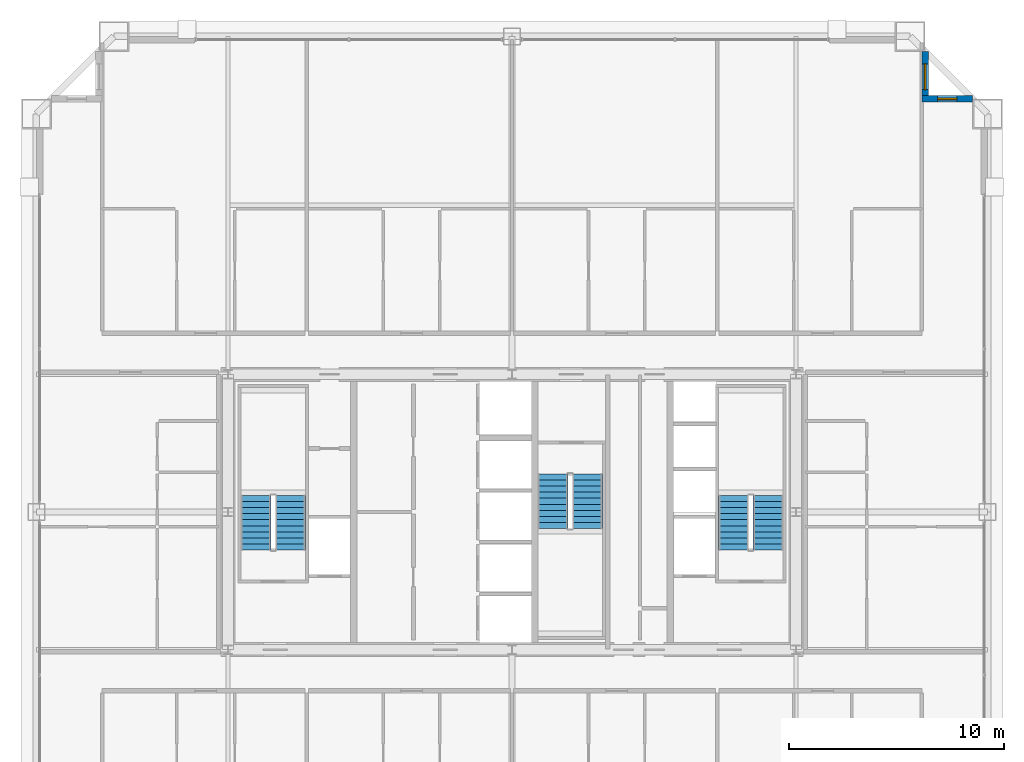
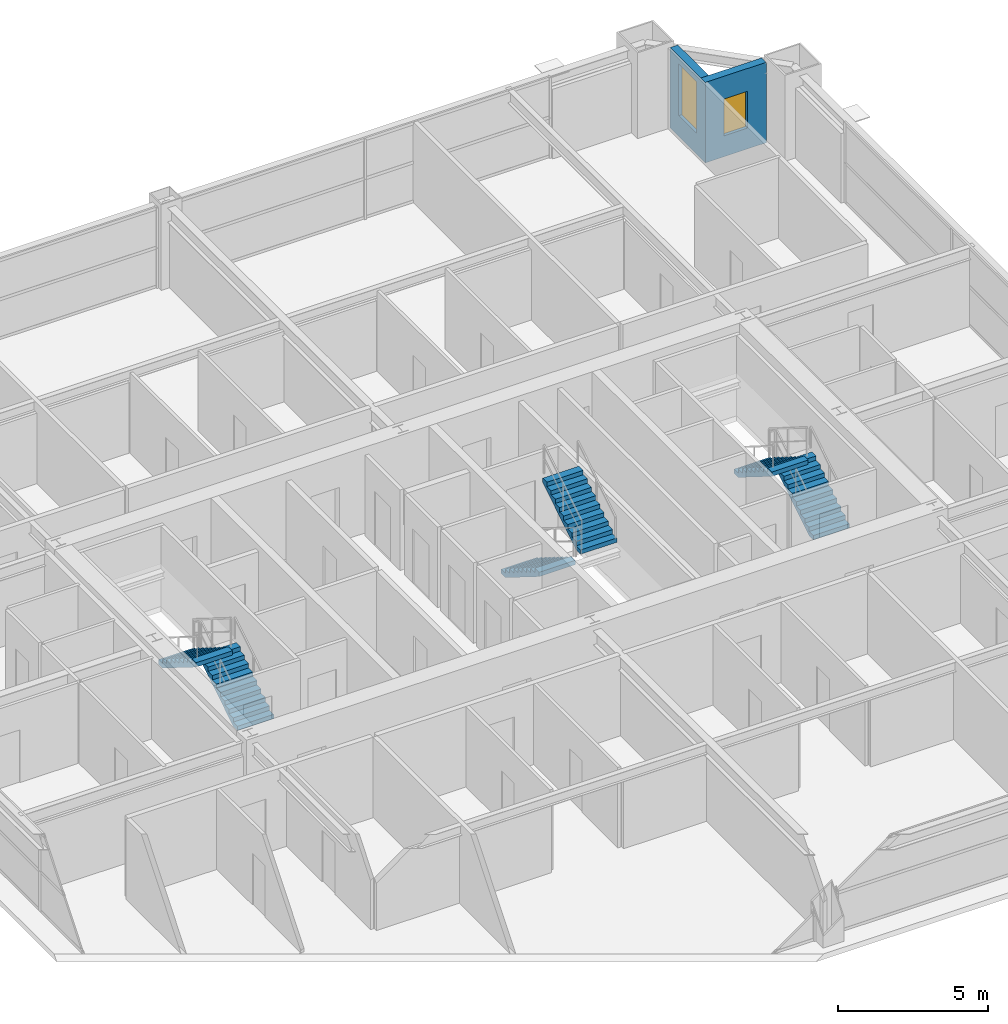
# One storey, part 37 of 38: 6 stair flights, 2 walls, 2 windows, 2 openings, 3 elements without a shape of their own.
"""IFC4 building model written with IfcOpenShell, lengths in metres."""

from ifc_helpers import new_model, si_unit, direction, frame, frame_2d, origin, place, context, subcontext, project, spatial, polyline, rectangle, outline, extrude, source, transform, mapped, material, layer, layer_set, type_object, element, fill, aggregate, save


model = new_model("IFC4")

# Units and contexts
model_context = context("Model", 3, precision=1e-05, world=origin(), true_north=direction((0.0, 1.0)))
body_context = subcontext(model_context, "Body", "Model", "MODEL_VIEW")
ifc_project = project(units=[si_unit("LENGTHUNIT", "METRE"), si_unit("AREAUNIT", "SQUARE_METRE"), si_unit("VOLUMEUNIT", "CUBIC_METRE"), si_unit("PLANEANGLEUNIT", "RADIAN"), si_unit("MASSUNIT", "GRAM", prefix="KILO"), si_unit("THERMODYNAMICTEMPERATUREUNIT", "KELVIN"), si_unit("POWERUNIT", "WATT")], contexts=[model_context])

# Site, building, storey
site_placement = place(None, origin())
site = spatial("IfcSite", under=ifc_project, at=site_placement, CompositionType="ELEMENT")
building_placement = place(site_placement, origin())
building = spatial("IfcBuilding", under=site, at=building_placement, Name="Yuzanri Waterfront Tower", CompositionType="ELEMENT")
storey_placement = place(building_placement, frame((0.0, 0.0, 188.0)))
storey = spatial("IfcBuildingStorey", under=building, at=storey_placement, Name="L49", CompositionType="ELEMENT", Elevation=188.0)

# Wall, opening, window
ifc_material_1 = material(Name="Honed Chongqing Dark Basalt Stone", Category="masonry")
ifc_layer = layer(ifc_material_1, 0.300048828125)
ifc_layer_set = layer_set([ifc_layer], Name="Honed Chongqing Dark Basalt Stone")
wall_type = type_object("IfcWallType", Name="Bronze Rainscreen Insulated Spandrel Portal Wall 300", PredefinedType="SOLIDWALL", material=ifc_layer_set)
wall_1_placement = place(storey_placement, frame((58.39990234375, 45.0, 0.0), z_axis=(0.0, 0.0, 1.0), x_axis=(-1.0, 0.0, 0.0)))
wall_1 = element("IfcWall", 1, at=wall_1_placement, inside=storey, type_object=wall_type, Name="L49 Notched Corner Masonry Wall NE-X", PredefinedType="SOLIDWALL", context=body_context, shape_type="SweptSolid", body=[
    extrude(rectangle(XDim=2.349853515625, YDim=0.300048828125, at=frame_2d((1.1748046875, 0.0))), origin(), (0.0, 0.0, 1.0), 3.280029296875),
])
opening_1_placement = place(wall_1_placement, frame((0.72509765625, 0.0, 0.85009765625)))
opening_1 = element("IfcOpeningElement", 2, at=opening_1_placement, cuts=wall_1, Name="Opening WN-05", PredefinedType="OPENING", context=body_context, shape_type="SweptSolid", body=[
    extrude(rectangle(XDim=0.89990234375, YDim=1.5, at=frame_2d((0.449951171875, 0.75))), frame((0.0, 0.1650390625, 0.0), z_axis=(0.0, -1.0, 0.0), x_axis=(1.0, 0.0, 0.0)), (0.0, 0.0, 1.0), 0.329833984375),
])
ifc_material_2 = material(Name="Double-Silver Low-E Insulated Glass", Category="glass")
window_type_1 = type_object("IfcWindowType", Name="Anodized Bronze Service and Stairwell Smoke-Vent Window 900x1500", PartitioningType="SINGLE_PANEL", PredefinedType="WINDOW", material=ifc_material_2)
shared_shape_1 = source(origin(), body_context, "Body", "SweptSolid", [
    extrude(rectangle(XDim=0.89990234375, YDim=1.5, at=frame_2d((0.449951171875, 0.75))), frame((0.0, 0.030029296875, 0.0), z_axis=(0.0, -1.0, 0.0), x_axis=(1.0, 0.0, 0.0)), (0.0, 0.0, 1.0), 0.06005859375),
])
window_1_placement = place(opening_1_placement, origin())
window_1 = element("IfcWindow", 3, at=window_1_placement, inside=storey, type_object=window_type_1, Name="L49 Notched Corner Window NE-X", OverallHeight=1.5, OverallWidth=0.89990234375, PartitioningType="SINGLE_PANEL", PredefinedType="WINDOW", context=body_context, shape_type="MappedRepresentation", body=[
    mapped(shared_shape_1, transform((0.0, 0.0, 0.0), scale=1.0)),
])
fill(opening_1, window_1)

wall_2_placement = place(storey_placement, frame((56.199951171875, 44.85009765625, 0.0), z_axis=(0.0, 0.0, 1.0), x_axis=(0.0, 1.0, 0.0)))
wall_2 = element("IfcWall", 4, at=wall_2_placement, inside=storey, type_object=wall_type, Name="L49 Notched Corner Masonry Wall NE-Y", PredefinedType="SOLIDWALL", context=body_context, shape_type="SweptSolid", body=[
    extrude(rectangle(XDim=2.349853515625, YDim=0.300048828125, at=frame_2d((1.1748046875, 0.0))), origin(), (0.0, 0.0, 1.0), 3.280029296875),
])
opening_2_placement = place(wall_2_placement, frame((0.574951171875, 0.0, 0.85009765625)))
opening_2 = element("IfcOpeningElement", 5, at=opening_2_placement, cuts=wall_2, Name="Opening WN-02", PredefinedType="OPENING", context=body_context, shape_type="SweptSolid", body=[
    extrude(rectangle(XDim=1.199951171875, YDim=2.10009765625, at=frame_2d((0.60009765625, 1.050048828125))), frame((0.0, 0.1650390625, 0.0), z_axis=(0.0, -1.0, 0.0), x_axis=(1.0, 0.0, 0.0)), (0.0, 0.0, 1.0), 0.329833984375),
])
ifc_material_3 = material(Name="Double-Silver Low-E Insulated Glass", Category="glass")
window_type_2 = type_object("IfcWindowType", Name="Anodized Bronze Notched Corner Deep-Set Slot Window 1200x2100", PartitioningType="SINGLE_PANEL", PredefinedType="WINDOW", material=ifc_material_3)
shared_shape_2 = source(origin(), body_context, "Body", "SweptSolid", [
    extrude(rectangle(XDim=1.199951171875, YDim=2.10009765625, at=frame_2d((0.60009765625, 1.050048828125))), frame((0.0, 0.030029296875, 0.0), z_axis=(0.0, -1.0, 0.0), x_axis=(1.0, 0.0, 0.0)), (0.0, 0.0, 1.0), 0.06005859375),
])
window_2_placement = place(opening_2_placement, origin())
window_2 = element("IfcWindow", 6, at=window_2_placement, inside=storey, type_object=window_type_2, Name="L49 Notched Corner Window NE-Y", OverallHeight=2.10009765625, OverallWidth=1.199951171875, PartitioningType="SINGLE_PANEL", PredefinedType="WINDOW", context=body_context, shape_type="MappedRepresentation", body=[
    mapped(shared_shape_2, transform((0.0, 0.0, 0.0), scale=1.0)),
])
fill(opening_2, window_2)

# Stair, stair flights
ifc_material_4 = material(Name="Concrete C40", Category="concrete")
stair_type = type_object("IfcStairType", Name="Concrete C40 Core Dogleg Exit Stair", PredefinedType="HALF_TURN_STAIR", material=ifc_material_4)
stair_1_placement = place(storey_placement, origin())
stair_1 = element("IfcStair", 7, at=stair_1_placement, inside=storey, type_object=stair_type, Name="L49 Smoke-Proof Core Stair ST-01", PredefinedType="HALF_TURN_STAIR")
ifc_material_5 = material(Name="Concrete C40", Category="concrete")
stair_flight_type = type_object("IfcStairFlightType", Name="Concrete C40 Precast Stair Flight 1380", PredefinedType="STRAIGHT", material=ifc_material_5)
shared_shape_3 = source(origin(), body_context, "Body", "SweptSolid", [
    extrude(outline(polyline([(0.0, 0.0), (0.0, 0.175048828125), (0.280029296875, 0.175048828125), (0.280029296875, 0.35009765625), (0.56005859375, 0.35009765625), (0.56005859375, 0.52490234375), (0.840087890625, 0.52490234375), (0.840087890625, 0.699951171875), (1.1201171875, 0.699951171875), (1.1201171875, 0.875), (1.39990234375, 0.875), (1.39990234375, 1.050048828125), (1.679931640625, 1.050048828125), (1.679931640625, 1.22509765625), (1.9599609375, 1.22509765625), (1.9599609375, 1.39990234375), (2.239990234375, 1.39990234375), (2.239990234375, 1.574951171875), (2.52001953125, 1.574951171875), (2.52001953125, 1.75), (2.52001953125, 1.398193359375), (0.28271484375, 0.0), (0.0, 0.0)])), frame((0.0, 0.699951171875, 0.0), z_axis=(0.0, -1.0, 0.0), x_axis=(1.0, 0.0, 0.0)), (0.0, 0.0, 1.0), 1.39990234375),
])
stair_flight_1_placement = place(storey_placement, frame((26.699951171875, 24.0400390625, 0.0), z_axis=(0.0, 0.0, 1.0), x_axis=(0.0, 1.0, 0.0)))
stair_flight_1 = element("IfcStairFlight", 8, at=stair_flight_1_placement, type_object=stair_flight_type, Name="ST-01 flight 1", NumberOfRisers=10, NumberOfTreads=9, PredefinedType="STRAIGHT", RiserHeight=0.175, TreadLength=0.28, context=body_context, shape_type="MappedRepresentation", body=[
    mapped(shared_shape_3, transform((0.0, 0.0, 0.0), scale=1.0)),
])
stair_flight_2_placement = place(storey_placement, frame((25.10009765625, 26.56005859375, 1.75), z_axis=(0.0, 0.0, 1.0), x_axis=(0.0, -1.0, 0.0)))
stair_flight_2 = element("IfcStairFlight", 9, at=stair_flight_2_placement, type_object=stair_flight_type, Name="ST-01 flight 2", NumberOfRisers=10, NumberOfTreads=9, PredefinedType="STRAIGHT", RiserHeight=0.175, TreadLength=0.28, context=body_context, shape_type="MappedRepresentation", body=[
    mapped(shared_shape_3, transform((0.0, 0.0, 0.0), scale=1.0)),
])
aggregate(stair_1, [stair_flight_1, stair_flight_2])

stair_2_placement = place(storey_placement, origin())
stair_2 = element("IfcStair", 10, at=stair_2_placement, inside=storey, type_object=stair_type, Name="L49 Smoke-Proof Core Stair ST-02", PredefinedType="HALF_TURN_STAIR")
stair_flight_3_placement = place(storey_placement, frame((48.89990234375, 24.0400390625, 0.0), z_axis=(0.0, 0.0, 1.0), x_axis=(0.0, 1.0, 0.0)))
stair_flight_3 = element("IfcStairFlight", 11, at=stair_flight_3_placement, type_object=stair_flight_type, Name="ST-02 flight 1", NumberOfRisers=10, NumberOfTreads=9, PredefinedType="STRAIGHT", RiserHeight=0.175, TreadLength=0.28, context=body_context, shape_type="MappedRepresentation", body=[
    mapped(shared_shape_3, transform((0.0, 0.0, 0.0), scale=1.0)),
])
stair_flight_4_placement = place(storey_placement, frame((47.300048828125, 26.56005859375, 1.75), z_axis=(0.0, 0.0, 1.0), x_axis=(0.0, -1.0, 0.0)))
stair_flight_4 = element("IfcStairFlight", 12, at=stair_flight_4_placement, type_object=stair_flight_type, Name="ST-02 flight 2", NumberOfRisers=10, NumberOfTreads=9, PredefinedType="STRAIGHT", RiserHeight=0.175, TreadLength=0.28, context=body_context, shape_type="MappedRepresentation", body=[
    mapped(shared_shape_3, transform((0.0, 0.0, 0.0), scale=1.0)),
])
aggregate(stair_2, [stair_flight_3, stair_flight_4])

stair_3_placement = place(storey_placement, origin())
stair_3 = element("IfcStair", 13, at=stair_3_placement, inside=storey, type_object=stair_type, Name="L49 Smoke-Proof Core Stair ST-03", PredefinedType="HALF_TURN_STAIR")
stair_flight_5_placement = place(storey_placement, frame((38.89990234375, 27.56005859375, 0.0), z_axis=(0.0, 0.0, 1.0), x_axis=(0.0, -1.0, 0.0)))
stair_flight_5 = element("IfcStairFlight", 14, at=stair_flight_5_placement, type_object=stair_flight_type, Name="ST-03 flight 1", NumberOfRisers=10, NumberOfTreads=9, PredefinedType="STRAIGHT", RiserHeight=0.175, TreadLength=0.28, context=body_context, shape_type="MappedRepresentation", body=[
    mapped(shared_shape_3, transform((0.0, 0.0, 0.0), scale=1.0)),
])
stair_flight_6_placement = place(storey_placement, frame((40.5, 25.0400390625, 1.75), z_axis=(0.0, 0.0, 1.0), x_axis=(0.0, 1.0, 0.0)))
stair_flight_6 = element("IfcStairFlight", 15, at=stair_flight_6_placement, type_object=stair_flight_type, Name="ST-03 flight 2", NumberOfRisers=10, NumberOfTreads=9, PredefinedType="STRAIGHT", RiserHeight=0.175, TreadLength=0.28, context=body_context, shape_type="MappedRepresentation", body=[
    mapped(shared_shape_3, transform((0.0, 0.0, 0.0), scale=1.0)),
])
aggregate(stair_3, [stair_flight_5, stair_flight_6])

save(model, "model.ifc")
